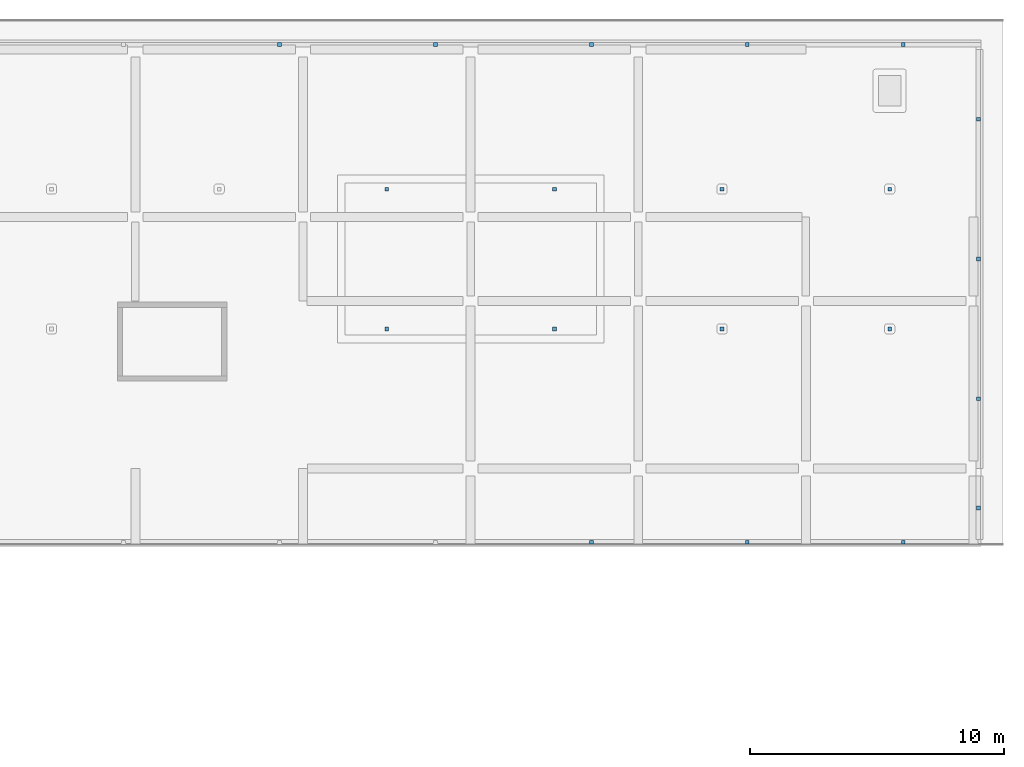
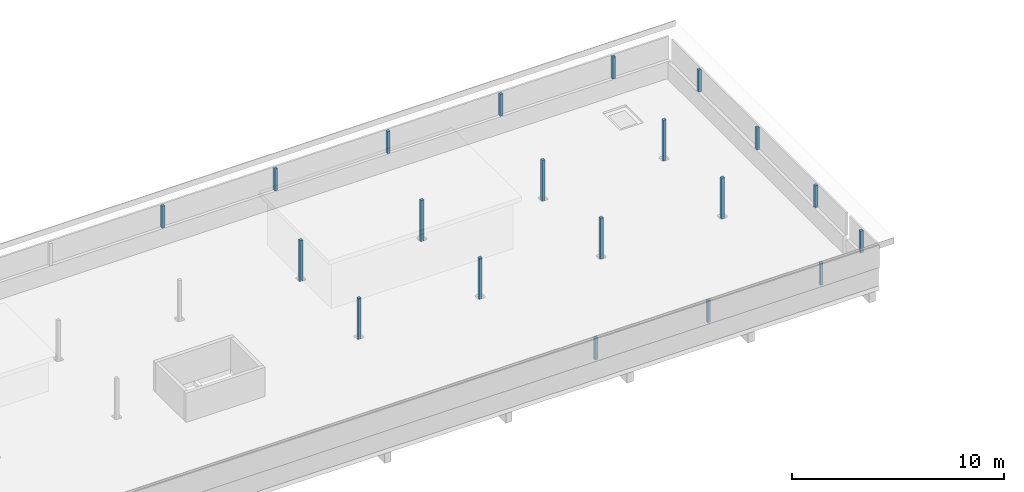
# One storey, part 30 of 61: 20 discrete accessories.
"""IFC4 building model written with IfcOpenShell, lengths in metres."""

from ifc_helpers import new_model, si_unit, direction, frame, origin, origin_2d, place, context, subcontext, project, spatial, rectangle, extrude, material, type_object, element, save


model = new_model("IFC4")

# Units and contexts
model_context = context("Model", 3, precision=1e-05, world=origin(), true_north=direction((0.0, 1.0)))
body_context = subcontext(model_context, "Body", "Model", "MODEL_VIEW")
ifc_project = project(units=[si_unit("LENGTHUNIT", "METRE"), si_unit("AREAUNIT", "SQUARE_METRE"), si_unit("VOLUMEUNIT", "CUBIC_METRE"), si_unit("PLANEANGLEUNIT", "RADIAN"), si_unit("MASSUNIT", "GRAM", prefix="KILO")], contexts=[model_context])

# Site, building, storey
site_placement = place(None, origin())
site = spatial("IfcSite", under=ifc_project, at=site_placement, CompositionType="ELEMENT")
building_placement = place(site_placement, origin())
building = spatial("IfcBuilding", under=site, at=building_placement, Name="Lantern Court Research Institute", CompositionType="ELEMENT")
storey_placement = place(building_placement, frame((0.0, 0.0, 23.39990234375)))
storey = spatial("IfcBuildingStorey", under=building, at=storey_placement, Name="L05", CompositionType="ELEMENT", Elevation=23.39990234375)

# Discrete accessories
ifc_material = material(Name="Structural steel S355", Category="steel")
discrete_accessory_type = type_object("IfcDiscreteAccessoryType", Name="Parasol roof post 150 x 150 steel", PredefinedType="BRACKET", material=ifc_material)
for number, where, z_axis, x_axis, name in (
    (1, (56.10009765625, 88.0, 0.0), (0.0, 0.0, 1.0), (1.0, 0.0, 0.0), "Parasol roof post V6 8"),
    (2, (62.699951171875, 88.0, 0.0), (0.0, 0.0, 1.0), (1.0, 0.0, 0.0), "Parasol roof post V6 9"),
    (3, (69.300048828125, 88.0, 0.0), (0.0, 0.0, 1.0), (1.0, 0.0, 0.0), "Parasol roof post V6 10"),
    (4, (75.89990234375, 88.0, 0.0), (0.0, 0.0, 1.0), (1.0, 0.0, 0.0), "Parasol roof post V6 11"),
    (5, (56.10009765625, 93.5, 0.0), (0.0, 0.0, 1.0), (1.0, 0.0, 0.0), "Parasol roof post V6 20"),
    (6, (62.699951171875, 93.5, 0.0), (0.0, 0.0, 1.0), (1.0, 0.0, 0.0), "Parasol roof post V6 21"),
    (7, (69.300048828125, 93.5, 0.0), (0.0, 0.0, 1.0), (1.0, 0.0, 0.0), "Parasol roof post V6 22"),
    (8, (75.89990234375, 93.5, 0.0), (0.0, 0.0, 1.0), (1.0, 0.0, 0.0), "Parasol roof post V6 23"),
):
    element("IfcDiscreteAccessory", number, at=place(storey_placement, frame(where, z_axis=z_axis, x_axis=x_axis)), inside=storey, type_object=discrete_accessory_type, Name=name, PredefinedType="BRACKET", context=body_context, shape_type="SweptSolid", body=[
        extrude(rectangle(XDim=0.14990234375, YDim=0.14990234375, at=origin_2d()), origin(), (0.0, 0.0, 1.0), 2.3701171875),
    ])
for number, where, z_axis, x_axis, name in (
    (9, (64.15380859375, 79.60009765625, 1.10009765625), (0.0, 0.0, 1.0), (1.0, 0.0, 0.0), "Parasol roof post V6 38"),
    (10, (70.292236328125, 79.60009765625, 1.10009765625), (0.0, 0.0, 1.0), (1.0, 0.0, 0.0), "Parasol roof post V6 39"),
    (11, (76.4306640625, 79.60009765625, 1.10009765625), (0.0, 0.0, 1.0), (1.0, 0.0, 0.0), "Parasol roof post V6 40"),
    (12, (79.39990234375, 80.949951171875, 1.10009765625), (0.0, 0.0, 1.0), (1.0, 0.0, 0.0), "Parasol roof post V6 41"),
    (13, (79.39990234375, 85.25, 1.10009765625), (0.0, 0.0, 1.0), (1.0, 0.0, 0.0), "Parasol roof post V6 42"),
    (14, (79.39990234375, 90.75, 1.10009765625), (0.0, 0.0, 1.0), (1.0, 0.0, 0.0), "Parasol roof post V6 43"),
    (15, (79.39990234375, 96.25, 1.10009765625), (0.0, 0.0, 1.0), (1.0, 0.0, 0.0), "Parasol roof post V6 44"),
    (16, (76.4306640625, 99.199951171875, 1.10009765625), (0.0, 0.0, 1.0), (1.0, 0.0, 0.0), "Parasol roof post V6 45"),
    (17, (70.292236328125, 99.199951171875, 1.10009765625), (0.0, 0.0, 1.0), (1.0, 0.0, 0.0), "Parasol roof post V6 46"),
    (18, (64.15380859375, 99.199951171875, 1.10009765625), (0.0, 0.0, 1.0), (1.0, 0.0, 0.0), "Parasol roof post V6 47"),
    (19, (58.015380859375, 99.199951171875, 1.10009765625), (0.0, 0.0, 1.0), (1.0, 0.0, 0.0), "Parasol roof post V6 48"),
    (20, (51.876953125, 99.199951171875, 1.10009765625), (0.0, 0.0, 1.0), (1.0, 0.0, 0.0), "Parasol roof post V6 49"),
):
    element("IfcDiscreteAccessory", number, at=place(storey_placement, frame(where, z_axis=z_axis, x_axis=x_axis)), inside=storey, type_object=discrete_accessory_type, Name=name, PredefinedType="BRACKET", context=body_context, shape_type="SweptSolid", body=[
        extrude(rectangle(XDim=0.14990234375, YDim=0.14990234375, at=origin_2d()), origin(), (0.0, 0.0, 1.0), 1.27001953125),
    ])

save(model, "model.ifc")
